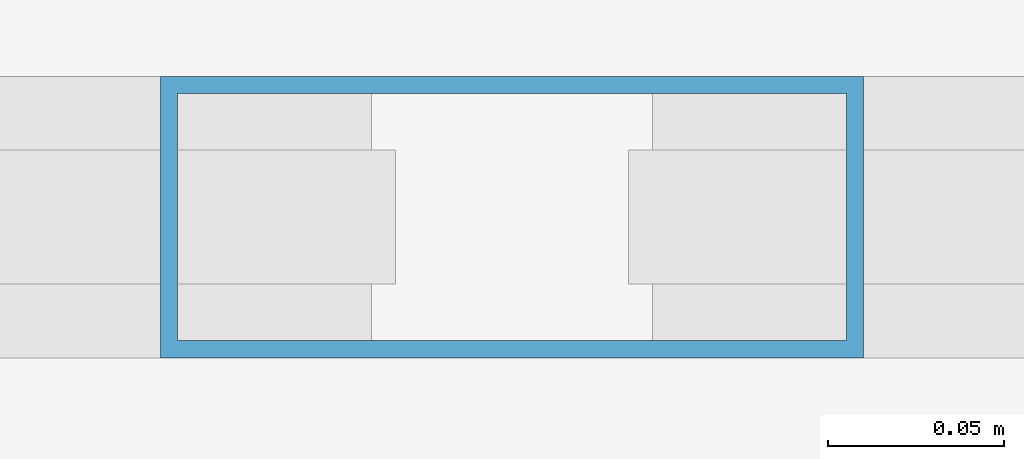
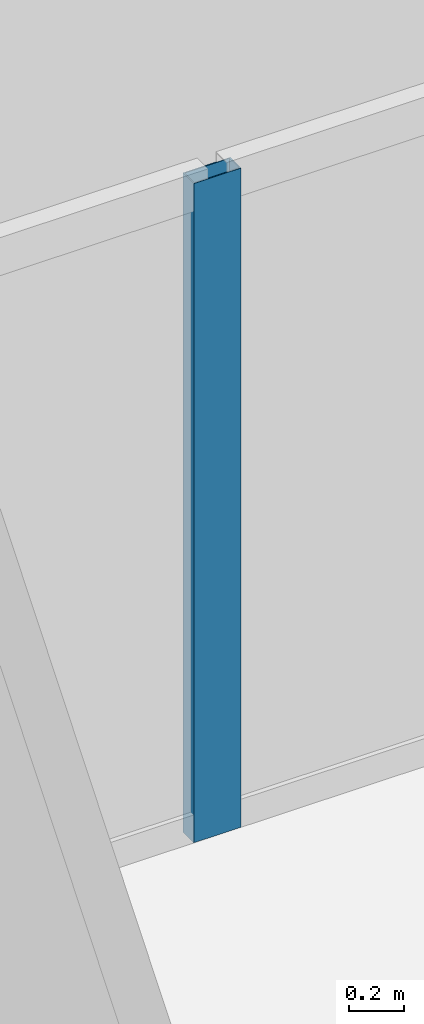
# One storey, part 12 of 21: 1 member, 1 element without a shape of its own.
"""IFC4 building model written with IfcOpenShell, lengths in metres."""

from ifc_helpers import new_model, si_unit, direction, frame, origin, origin_2d, place, context, subcontext, project, spatial, hollow_rectangle, extrude, source, transform, mapped, material, layer, layer_set, material_profile, profile_set, type_object, element, aggregate, save


model = new_model("IFC4")

# Units and contexts
model_context = context("Model", 3, precision=1e-05, world=origin(), true_north=direction((0.0, 1.0)))
body_context = subcontext(model_context, "Body", "Model", "MODEL_VIEW")
ifc_project = project(units=[si_unit("LENGTHUNIT", "METRE"), si_unit("AREAUNIT", "SQUARE_METRE"), si_unit("VOLUMEUNIT", "CUBIC_METRE"), si_unit("PLANEANGLEUNIT", "RADIAN"), si_unit("MASSUNIT", "GRAM", prefix="KILO")], contexts=[model_context])

# Site, building, storey
site_placement = place(None, origin())
site = spatial("IfcSite", under=ifc_project, at=site_placement, CompositionType="ELEMENT")
building_placement = place(site_placement, origin())
building = spatial("IfcBuilding", under=site, at=building_placement, Name="Kolveth Station Tower", CompositionType="ELEMENT")
storey_placement = place(building_placement, frame((0.0, 0.0, 108.699951171875)))
storey = spatial("IfcBuildingStorey", under=building, at=storey_placement, Name="L29", CompositionType="ELEMENT", Elevation=108.699951171875)

# Curtain wall, member
ifc_material_1 = material(Name="Aluminium 6063-T6 and low-E dark glass", Category="aluminium")
ifc_layer = layer(ifc_material_1, 0.18994140625)
ifc_layer_set = layer_set([ifc_layer], Name="Aluminium 6063-T6 and low-E dark glass")
curtain_wall_type = type_object("IfcCurtainWallType", Name="CurtainWall_CW-Z2", PredefinedType="NOTDEFINED", material=ifc_layer_set)
curtain_wall_placement = place(storey_placement, origin())
curtain_wall = element("IfcCurtainWall", 1, at=curtain_wall_placement, inside=storey, type_object=curtain_wall_type, Name="L29 Inner Thermal Curtain Wall 6", PredefinedType="NOTDEFINED")
ifc_material_2 = material(Name="Black anodized aluminium 6063-T6", Category="aluminium")
ifc_material_profile = material_profile(ifc_material_2, hollow_rectangle(XDim=0.080078125, YDim=0.199951171875, WallThickness=0.0048828125, at=origin_2d()), Name="ALU-80x200x5")
ifc_profile_set = profile_set([ifc_material_profile], Name="Black anodized aluminium 6063-T6")
member_type = type_object("IfcMemberType", Name="Mullion_ML2", PredefinedType="MULLION", material=ifc_profile_set)
shared_shape = source(origin(), body_context, "Body", "SweptSolid", [
    extrude(hollow_rectangle(XDim=0.080078125, YDim=0.199951171875, WallThickness=0.0048828125, at=origin_2d()), origin(), (0.0, 0.0, 1.0), 2.949951171875),
])
member_placement = place(storey_placement, frame((23.5, 35.179931640625, 0.0), z_axis=(0.0, 0.0, 1.0), x_axis=(0.0, -1.0, 0.0)))
member = element("IfcMember", 2, at=member_placement, type_object=member_type, Name="CW-Z2 mullion 2", PredefinedType="MULLION", context=body_context, shape_type="MappedRepresentation", body=[
    mapped(shared_shape, transform((0.0, 0.0, 0.0), x_axis=(1.0, 0.0, 0.0), y_axis=(0.0, 1.0, 0.0), z_axis=(0.0, 0.0, 1.0), scale=1.0)),
])
aggregate(curtain_wall, [member])

save(model, "model.ifc")
